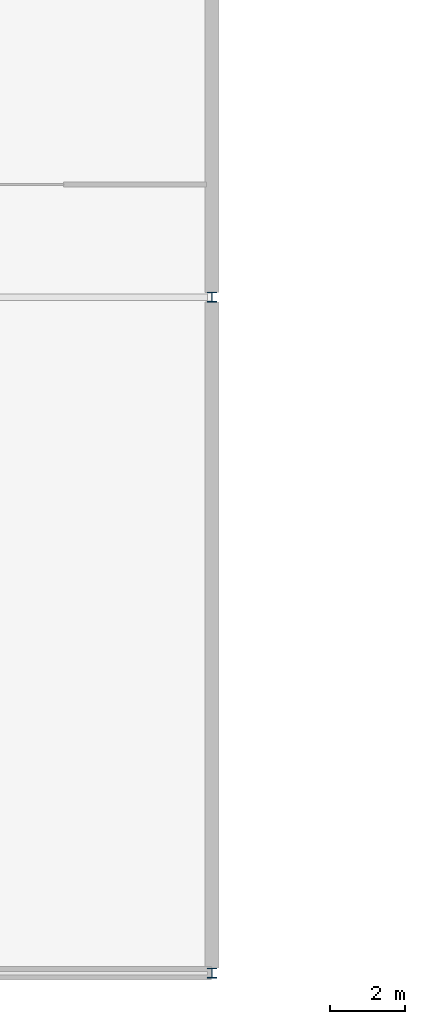
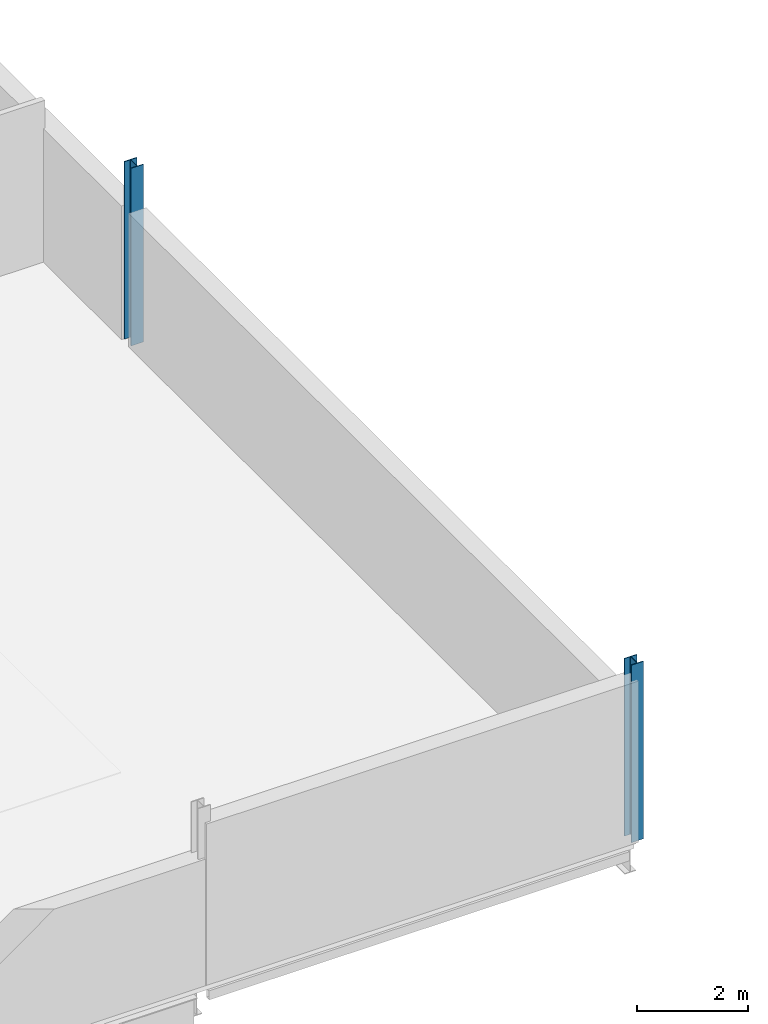
# One storey, part 2 of 30: 2 columns.
"""IFC4 building model written with IfcOpenShell, lengths in metres."""

from ifc_helpers import new_model, si_unit, direction, frame, origin, origin_2d, place, context, subcontext, project, spatial, i_section, extrude, material, material_profile, profile_set, type_object, element, save


model = new_model("IFC4")

# Units and contexts
model_context = context("Model", 3, precision=1e-05, world=origin(), true_north=direction((0.0, 1.0)))
body_context = subcontext(model_context, "Body", "Model", "MODEL_VIEW")
ifc_project = project(units=[si_unit("LENGTHUNIT", "METRE"), si_unit("AREAUNIT", "SQUARE_METRE"), si_unit("VOLUMEUNIT", "CUBIC_METRE"), si_unit("PLANEANGLEUNIT", "RADIAN"), si_unit("MASSUNIT", "GRAM", prefix="KILO")], contexts=[model_context])

# Site, building, storey
site_placement = place(None, origin())
site = spatial("IfcSite", under=ifc_project, at=site_placement, CompositionType="ELEMENT")
building_placement = place(site_placement, origin())
building = spatial("IfcBuilding", under=site, at=building_placement, Name="Kisiwana Market Hall", CompositionType="ELEMENT")
storey_placement = place(building_placement, frame((0.0, 0.0, 54.0)))
storey = spatial("IfcBuildingStorey", under=building, at=storey_placement, Name="L12", CompositionType="ELEMENT", Elevation=54.0)

# Columns
ifc_material = material(Name="Steel S355", Category="steel")
ifc_material_profile = material_profile(ifc_material, i_section(OverallWidth=0.25634765625, OverallDepth=0.26025390625, WebThickness=0.01025390625, FlangeThickness=0.017333984375, FilletRadius=0.0126953125, at=origin_2d()), Name="UC 254x254x89")
ifc_profile_set = profile_set([ifc_material_profile], Name="Steel S355")
column_type = type_object("IfcColumnType", Name="COL-STL-UC089", PredefinedType="COLUMN", material=ifc_profile_set)
for number, where, z_axis, x_axis, name in (
    (1, (36.0, 18.0, 0.0), (0.0, 0.0, 1.0), (1.0, 0.0, 0.0), "Column C/5 (L12) C-1376"),
    (2, (36.0, 36.0, 0.0), (0.0, 0.0, 1.0), (1.0, 0.0, 0.0), "Column E/5 (L12) C-1377"),
):
    element("IfcColumn", number, at=place(storey_placement, frame(where, z_axis=z_axis, x_axis=x_axis)), inside=storey, type_object=column_type, Name=name, PredefinedType="COLUMN", context=body_context, shape_type="SweptSolid", body=[
        extrude(i_section(OverallWidth=0.25634765625, OverallDepth=0.26025390625, WebThickness=0.01025390625, FlangeThickness=0.017333984375, FilletRadius=0.0126953125, at=origin_2d()), origin(), (0.0, 0.0, 1.0), 3.89990234375),
    ])

save(model, "model.ifc")
